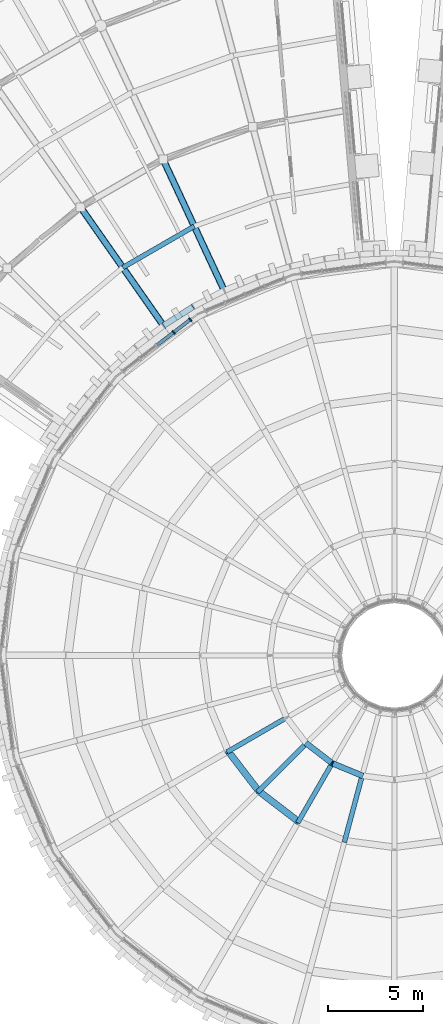
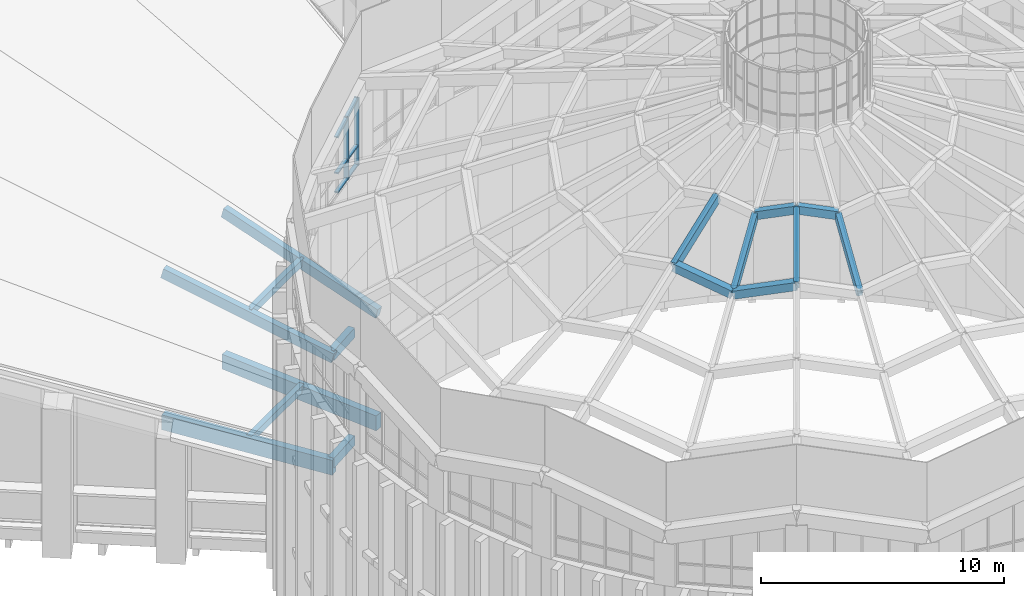
# One storey, part 11 of 82: 16 beams, 8 members, 1 element without a shape of its own.
"""IFC4 building model written with IfcOpenShell, lengths in metres."""

from ifc_helpers import new_model, si_unit, direction, frame, origin, origin_2d, place, context, subcontext, project, spatial, rectangle, extrude, material, layer, layer_set, material_profile, profile_set, type_object, element, aggregate, save


model = new_model("IFC4")

# Units and contexts
model_context = context("Model", 3, precision=1e-05, world=origin(), true_north=direction((0.0, 1.0)))
body_context = subcontext(model_context, "Body", "Model", "MODEL_VIEW")
ifc_project = project(units=[si_unit("LENGTHUNIT", "METRE"), si_unit("AREAUNIT", "SQUARE_METRE"), si_unit("VOLUMEUNIT", "CUBIC_METRE"), si_unit("PLANEANGLEUNIT", "RADIAN"), si_unit("MASSUNIT", "GRAM", prefix="KILO")], contexts=[model_context])

# Site, building, storey
site_placement = place(None, origin())
site = spatial("IfcSite", under=ifc_project, at=site_placement, CompositionType="ELEMENT")
building_placement = place(site_placement, origin())
building = spatial("IfcBuilding", under=site, at=building_placement, Name="Volute Hill Aquarium", CompositionType="ELEMENT")
storey_placement = place(building_placement, frame((0.0, 0.0, 13.800048828125)))
storey = spatial("IfcBuildingStorey", under=building, at=storey_placement, Name="L04", CompositionType="ELEMENT", Elevation=13.800048828125)

# Beams
ifc_material_1 = material(Name="Concrete C35/45", Category="concrete")
ifc_material_profile_1 = material_profile(ifc_material_1, rectangle(XDim=0.35009765625, YDim=0.75, at=origin_2d()), Name="RC beam 350x750")
ifc_profile_set_1 = profile_set([ifc_material_profile_1], Name="Concrete C35/45")
beam_type_1 = type_object("IfcBeamType", Name="Beam 350x750 C35/45", PredefinedType="BEAM", material=ifc_profile_set_1)
for number, where, z_axis, x_axis, name in (
    (1, (-8.875, 19.032470703125, -0.695068359375), (-0.422626766283, 0.906303821255, 0.0), (-0.906303821255, -0.422626766283, 0.0), "bm/S6/L04/rad2.5"),
    (2, (-12.045166015625, 17.2021484375, -0.695068359375), (-0.573565938589, 0.819159394801, 0.0), (-0.819159394801, -0.573565938589, 0.0), "bm/S6/L04/rad3.9"),
):
    element("IfcBeam", number, at=place(storey_placement, frame(where, z_axis=z_axis, x_axis=x_axis)), inside=storey, type_object=beam_type_1, Name=name, PredefinedType="BEAM", context=body_context, shape_type="SweptSolid", body=[
        extrude(rectangle(XDim=0.35009765625, YDim=0.75, at=origin_2d()), origin(), (0.0, 0.0, 1.0), 7.75),
    ])

# Curtain wall, members
ifc_material_2 = material(Name="Aluminium", Category="aluminium")
ifc_layer = layer(ifc_material_2, 0.219970703125)
ifc_layer_set = layer_set([ifc_layer], Name="Curtain wall DR clerestory module 1134")
curtain_wall_type = type_object("IfcCurtainWallType", Name="Curtain wall DR clerestory module 1134", PredefinedType="NOTDEFINED", material=ifc_layer_set)
curtain_wall_placement = place(storey_placement, origin())
curtain_wall = element("IfcCurtainWall", 3, at=curtain_wall_placement, inside=storey, type_object=curtain_wall_type, Name="Curtain wall CW DR clerestory c08", PredefinedType="NOTDEFINED")
ifc_material_3 = material(Name="Aluminium", Category="aluminium")
ifc_material_profile_2 = material_profile(ifc_material_3, rectangle(XDim=0.219970703125, YDim=0.070068359375, at=origin_2d()), Name="Curtain wall mullion clerestory 70x220")
ifc_profile_set_2 = profile_set([ifc_material_profile_2], Name="Aluminium")
member_type_1 = type_object("IfcMemberType", Name="Curtain wall mullion clerestory 70x220", PredefinedType="MULLION", material=ifc_profile_set_2)
member_1_placement = place(storey_placement, frame((-10.721923828125, 17.641357421875, 13.699951171875), z_axis=(0.0, 0.0, 1.0), x_axis=(0.608760551921, -0.793354013303, 0.0)))
member_1 = element("IfcMember", 4, at=member_1_placement, type_object=member_type_1, Name="Mullion DR clerestory 1", PredefinedType="MULLION", context=body_context, shape_type="SweptSolid", body=[
    extrude(rectangle(XDim=0.219970703125, YDim=0.070068359375, at=origin_2d()), origin(), (0.0, 0.0, 1.0), 3.40576171875),
])
member_2_placement = place(storey_placement, frame((-11.593994140625, 16.97216796875, 13.699951171875), z_axis=(0.0, 0.0, 1.0), x_axis=(0.608760551921, -0.793354013303, 0.0)))
member_2 = element("IfcMember", 5, at=member_2_placement, type_object=member_type_1, Name="Mullion DR clerestory 2", PredefinedType="MULLION", context=body_context, shape_type="SweptSolid", body=[
    extrude(rectangle(XDim=0.219970703125, YDim=0.070068359375, at=origin_2d()), origin(), (0.0, 0.0, 1.0), 3.12109375),
])
ifc_material_4 = material(Name="Aluminium", Category="aluminium")
ifc_material_profile_3 = material_profile(ifc_material_4, rectangle(XDim=0.179931640625, YDim=0.070068359375, at=origin_2d()), Name="Curtain wall transom clerestory 70x180")
ifc_profile_set_3 = profile_set([ifc_material_profile_3], Name="Aluminium")
member_type_2 = type_object("IfcMemberType", Name="Curtain wall transom clerestory 70x180", PredefinedType="USERDEFINED", material=ifc_profile_set_3)
member_3_placement = place(storey_placement, frame((-10.749755859375, 17.619873046875, 13.73486328125), z_axis=(-0.793461214918, -0.608620818261, 0.0), x_axis=(0.608620818261, -0.793461214918, 0.0)))
member_3 = element("IfcMember", 6, at=member_3_placement, type_object=member_type_2, Name="Transom DR clerestory 1.1", ObjectType="TRANSOM", PredefinedType="USERDEFINED", context=body_context, shape_type="SweptSolid", body=[
    extrude(rectangle(XDim=0.179931640625, YDim=0.070068359375, at=origin_2d()), origin(), (0.0, 0.0, 1.0), 1.02880859375),
])
member_4_placement = place(storey_placement, frame((-10.749755859375, 17.619873046875, 14.699951171875), z_axis=(-0.793461214918, -0.608620818261, 0.0), x_axis=(0.608620818261, -0.793461214918, 0.0)))
member_4 = element("IfcMember", 7, at=member_4_placement, type_object=member_type_2, Name="Transom DR clerestory 1.2", ObjectType="TRANSOM", PredefinedType="USERDEFINED", context=body_context, shape_type="SweptSolid", body=[
    extrude(rectangle(XDim=0.179931640625, YDim=0.070068359375, at=origin_2d()), origin(), (0.0, 0.0, 1.0), 1.02880859375),
])
member_5_placement = place(storey_placement, frame((-10.749755859375, 17.619873046875, 17.061767578125), z_axis=(-0.768096072089, -0.58916460075, -0.250825631196), x_axis=(0.608620818261, -0.793461214918, 0.0)))
member_5 = element("IfcMember", 8, at=member_5_placement, type_object=member_type_2, Name="Head member DR clerestory 1", ObjectType="TRANSOM", PredefinedType="USERDEFINED", context=body_context, shape_type="SweptSolid", body=[
    extrude(rectangle(XDim=0.179931640625, YDim=0.070068359375, at=origin_2d()), origin(), (0.0, 0.0, 1.0), 1.06298828125),
])
member_6_placement = place(storey_placement, frame((-11.62158203125, 16.950927734375, 13.73486328125), z_axis=(-0.793399515431, -0.608701247669, 0.0), x_axis=(0.608701247669, -0.793399515431, 0.0)))
member_6 = element("IfcMember", 9, at=member_6_placement, type_object=member_type_2, Name="Transom DR clerestory 2.1", ObjectType="TRANSOM", PredefinedType="USERDEFINED", context=body_context, shape_type="SweptSolid", body=[
    extrude(rectangle(XDim=0.179931640625, YDim=0.070068359375, at=origin_2d()), origin(), (0.0, 0.0, 1.0), 1.06396484375),
])
member_7_placement = place(storey_placement, frame((-11.62158203125, 16.950927734375, 14.699951171875), z_axis=(-0.793399515431, -0.608701247669, 0.0), x_axis=(0.608701247669, -0.793399515431, 0.0)))
member_7 = element("IfcMember", 10, at=member_7_placement, type_object=member_type_2, Name="Transom DR clerestory 2.2", ObjectType="TRANSOM", PredefinedType="USERDEFINED", context=body_context, shape_type="SweptSolid", body=[
    extrude(rectangle(XDim=0.179931640625, YDim=0.070068359375, at=origin_2d()), origin(), (0.0, 0.0, 1.0), 1.06396484375),
])
member_8_placement = place(storey_placement, frame((-11.62158203125, 16.950927734375, 16.777099609375), z_axis=(-0.768007032556, -0.589219970321, -0.250968174317), x_axis=(0.608701247669, -0.793399515431, 0.0)))
member_8 = element("IfcMember", 11, at=member_8_placement, type_object=member_type_2, Name="Head member DR clerestory 2", ObjectType="TRANSOM", PredefinedType="USERDEFINED", context=body_context, shape_type="SweptSolid", body=[
    extrude(rectangle(XDim=0.179931640625, YDim=0.070068359375, at=origin_2d()), origin(), (0.0, 0.0, 1.0), 1.099365234375),
])
aggregate(curtain_wall, [member_1, member_2, member_3, member_4, member_5, member_6, member_7, member_8])

# Beams
ifc_material_5 = material(Name="Concrete C40/50", Category="concrete")
ifc_material_profile_4 = material_profile(ifc_material_5, rectangle(XDim=0.25, YDim=0.449951171875, at=origin_2d()), Name="RC rib 250x450")
ifc_profile_set_4 = profile_set([ifc_material_profile_4], Name="Concrete C40/50")
beam_type_2 = type_object("IfcBeamType", Name="Dome shell ridge rib 250x450", PredefinedType="BEAM", material=ifc_profile_set_4)
for number, where, z_axis, x_axis, name in (
    (12, (-8.7294921875, -5.0400390625, 21.663818359375), (0.80977897668, 0.467539824873, 0.354491919631), (-0.500011000363, 0.866019052629, 0.0), "rb/DR/L04/ridge3.14"),
    (13, (-5.0400390625, -8.7294921875, 21.663818359375), (0.467539824873, 0.80977897668, 0.354491919631), (-0.866019052629, 0.500011000363, 0.0), "rb/DR/L04/ridge3.16"),
):
    element("IfcBeam", number, at=place(storey_placement, frame(where, z_axis=z_axis, x_axis=x_axis)), inside=storey, type_object=beam_type_2, Name=name, PredefinedType="BEAM", context=body_context, shape_type="SweptSolid", body=[
        extrude(rectangle(XDim=0.25, YDim=0.449951171875, at=origin_2d()), origin(), (0.0, 0.0, 1.0), 3.785888671875),
    ])
ifc_material_6 = material(Name="Concrete C40/50", Category="concrete")
ifc_material_profile_5 = material_profile(ifc_material_6, rectangle(XDim=0.300048828125, YDim=0.39990234375, at=origin_2d()), Name="RC beam 300x400")
ifc_profile_set_5 = profile_set([ifc_material_profile_5], Name="Concrete C40/50")
beam_type_3 = type_object("IfcBeamType", Name="Dome shell ring beam 300x400", PredefinedType="BEAM", material=ifc_profile_set_5)
for number, where, z_axis, x_axis, name in (
    (14, (-4.62451171875, -4.62451171875, 22.59765625), (0.767999094937, -0.589288418736, 0.250831715938), (0.608749716606, 0.793362327397, 0.0), "rb/DR/L04/ring4.15"),
    (15, (-3.27001953125, -5.663818359375, 23.0400390625), (0.894357009115, -0.370422435597, -0.250824160427), (0.382654892735, 0.923891353497, 0.0), "rb/DR/L04/ring4.16"),
):
    element("IfcBeam", number, at=place(storey_placement, frame(where, z_axis=z_axis, x_axis=x_axis)), inside=storey, type_object=beam_type_3, Name=name, PredefinedType="BEAM", context=body_context, shape_type="SweptSolid", body=[
        extrude(rectangle(XDim=0.300048828125, YDim=0.39990234375, at=origin_2d()), origin(), (0.0, 0.0, 1.0), 1.763671875),
    ])
ifc_material_7 = material(Name="Concrete C40/50", Category="concrete")
ifc_material_profile_6 = material_profile(ifc_material_7, rectangle(XDim=0.35009765625, YDim=0.39990234375, at=origin_2d()), Name="RC beam 350x400")
ifc_profile_set_6 = profile_set([ifc_material_profile_6], Name="Concrete C40/50")
beam_type_4 = type_object("IfcBeamType", Name="Dome shell ring beam 350x400", PredefinedType="BEAM", material=ifc_profile_set_6)
for number, where, z_axis, x_axis, name in (
    (16, (-8.7294921875, -5.0400390625, 21.69775390625), (0.589286477993, -0.768021440835, -0.250767847364), (0.793371849725, 0.608737306285, 0.0), "rb/DR/L04/ring3.14"),
    (17, (-7.127685546875, -7.127685546875, 21.01611328125), (0.768021440835, -0.589286477993, 0.250767847364), (0.608737306285, 0.793371849725, 0.0), "rb/DR/L04/ring3.15"),
):
    element("IfcBeam", number, at=place(storey_placement, frame(where, z_axis=z_axis, x_axis=x_axis)), inside=storey, type_object=beam_type_4, Name=name, PredefinedType="BEAM", context=body_context, shape_type="SweptSolid", body=[
        extrude(rectangle(XDim=0.35009765625, YDim=0.39990234375, at=origin_2d()), origin(), (0.0, 0.0, 1.0), 2.71826171875),
    ])
ifc_material_8 = material(Name="Concrete C40/50", Category="concrete")
ifc_material_profile_7 = material_profile(ifc_material_8, rectangle(XDim=0.25, YDim=0.39990234375, at=origin_2d()), Name="RC rib 250x400")
ifc_profile_set_7 = profile_set([ifc_material_profile_7], Name="Concrete C40/50")
beam_type_5 = type_object("IfcBeamType", Name="Dome shell valley rib 250x400", PredefinedType="BEAM", material=ifc_profile_set_7)
for number, where, z_axis, x_axis, name in (
    (18, (-7.127685546875, -7.127685546875, 21.003662109375), (0.645606140124, 0.645606140124, 0.407903694111), (-0.707106781187, 0.707106781187, 0.0), "rb/DR/L04/valley3.15"),
    (19, (-2.60888671875, -9.736572265625, 21.003662109375), (0.236314805179, 0.881914511416, 0.407899629084), (-0.965924039886, 0.258825711959, 0.0), "rb/DR/L04/valley3.17"),
):
    element("IfcBeam", number, at=place(storey_placement, frame(where, z_axis=z_axis, x_axis=x_axis)), inside=storey, type_object=beam_type_5, Name=name, PredefinedType="BEAM", context=body_context, shape_type="SweptSolid", body=[
        extrude(rectangle(XDim=0.25, YDim=0.39990234375, at=origin_2d()), origin(), (0.0, 0.0, 1.0), 3.877197265625),
    ])
ifc_material_9 = material(Name="Concrete C35/45", Category="concrete")
ifc_material_profile_8 = material_profile(ifc_material_9, rectangle(XDim=0.300048828125, YDim=0.5, at=origin_2d()), Name="RC edge beam 300x500")
ifc_profile_set_8 = profile_set([ifc_material_profile_8], Name="Concrete C35/45")
beam_type_6 = type_object("IfcBeamType", Name="Edge beam 300x500 C35/45", PredefinedType="BEAM", material=ifc_profile_set_8)
for number, where, z_axis, x_axis, name in (
    (20, (-10.5751953125, 18.316650390625, -0.570068359375), (-0.843334400185, -0.537389141558, 0.0), (0.537389141558, -0.843334400185, 0.0), "bm/S6/L04/edgeD.37"),
    (21, (-10.5751953125, 18.316650390625, 4.85107421875), (-0.843281057084, -0.537355150293, -0.011247275985), (0.537389141558, -0.843334400185, 0.0), "rb/S6/L04/edgeD.37"),
):
    element("IfcBeam", number, at=place(storey_placement, frame(where, z_axis=z_axis, x_axis=x_axis)), inside=storey, type_object=beam_type_6, Name=name, PredefinedType="BEAM", context=body_context, shape_type="SweptSolid", body=[
        extrude(rectangle(XDim=0.300048828125, YDim=0.5, at=origin_2d()), origin(), (0.0, 0.0, 1.0), 1.844970703125),
    ])
ifc_material_10 = material(Name="Concrete C35/45", Category="concrete")
ifc_material_profile_9 = material_profile(ifc_material_10, rectangle(XDim=0.25, YDim=0.35009765625, at=origin_2d()), Name="RC joist 250x350")
ifc_profile_set_9 = profile_set([ifc_material_profile_9], Name="Concrete C35/45")
beam_type_7 = type_object("IfcBeamType", Name="Joist 250x350 C35/45", PredefinedType="BEAM", material=ifc_profile_set_9)
for number, where, z_axis, x_axis, name in (
    (22, (-10.5126953125, 22.54443359375, -0.4951171875), (-0.866016800201, -0.500014901547, 0.0), (0.500014901547, -0.866016800201, 0.0), "bm/S6/L04/jst3"),
    (23, (-10.5126953125, 22.54443359375, 5.863037109375), (-0.866016800201, -0.500014901547, 0.0), (0.500014901547, -0.866016800201, 0.0), "rb/S6/L04/jst3"),
):
    element("IfcBeam", number, at=place(storey_placement, frame(where, z_axis=z_axis, x_axis=x_axis)), inside=storey, type_object=beam_type_7, Name=name, PredefinedType="BEAM", context=body_context, shape_type="SweptSolid", body=[
        extrude(rectangle(XDim=0.25, YDim=0.35009765625, at=origin_2d()), origin(), (0.0, 0.0, 1.0), 4.335693359375),
    ])
ifc_material_11 = material(Name="Concrete C35/45", Category="concrete")
ifc_material_profile_10 = material_profile(ifc_material_11, rectangle(XDim=0.300048828125, YDim=0.5, at=origin_2d()), Name="RC rib 300x500")
ifc_profile_set_10 = profile_set([ifc_material_profile_10], Name="Concrete C35/45")
beam_type_8 = type_object("IfcBeamType", Name="Roof rib 300x500 C35/45", PredefinedType="BEAM", material=ifc_profile_set_10)
beam_1_placement = place(storey_placement, frame((-8.875, 19.032470703125, 4.78369140625), z_axis=(-0.409316713182, 0.877761019547, 0.248988796681), x_axis=(-0.906303821255, -0.422626766283, 0.0)))
element("IfcBeam", 24, at=beam_1_placement, inside=storey, type_object=beam_type_8, Name="rb/S6/L04/rib2.5", PredefinedType="BEAM", context=body_context, shape_type="SweptSolid", body=[
    extrude(rectangle(XDim=0.300048828125, YDim=0.5, at=origin_2d()), origin(), (0.0, 0.0, 1.0), 8.002197265625),
])
beam_2_placement = place(storey_placement, frame((-12.045166015625, 17.2021484375, 4.78369140625), z_axis=(-0.555501389106, 0.793359840771, 0.248994718322), x_axis=(-0.819159394801, -0.573565938589, 0.0)))
element("IfcBeam", 25, at=beam_2_placement, inside=storey, type_object=beam_type_8, Name="rb/S6/L04/rib3.9", PredefinedType="BEAM", context=body_context, shape_type="SweptSolid", body=[
    extrude(rectangle(XDim=0.300048828125, YDim=0.5, at=origin_2d()), origin(), (0.0, 0.0, 1.0), 8.001953125),
])

save(model, "model.ifc")
